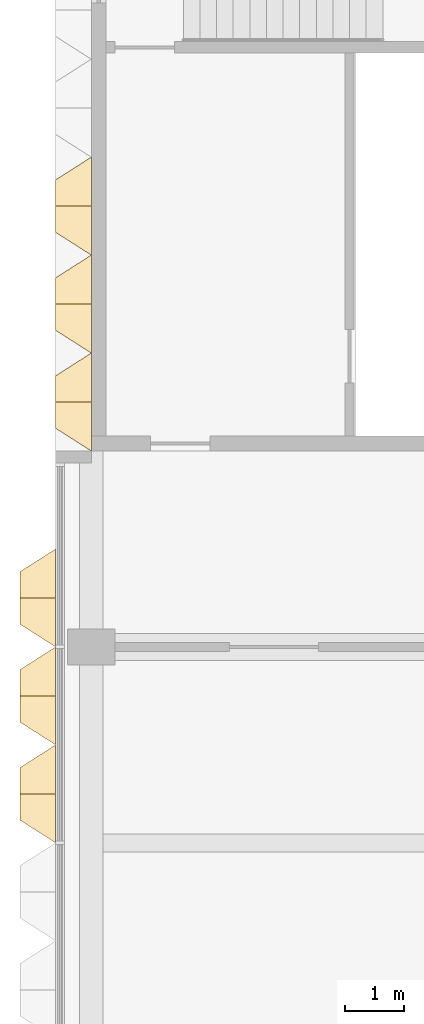
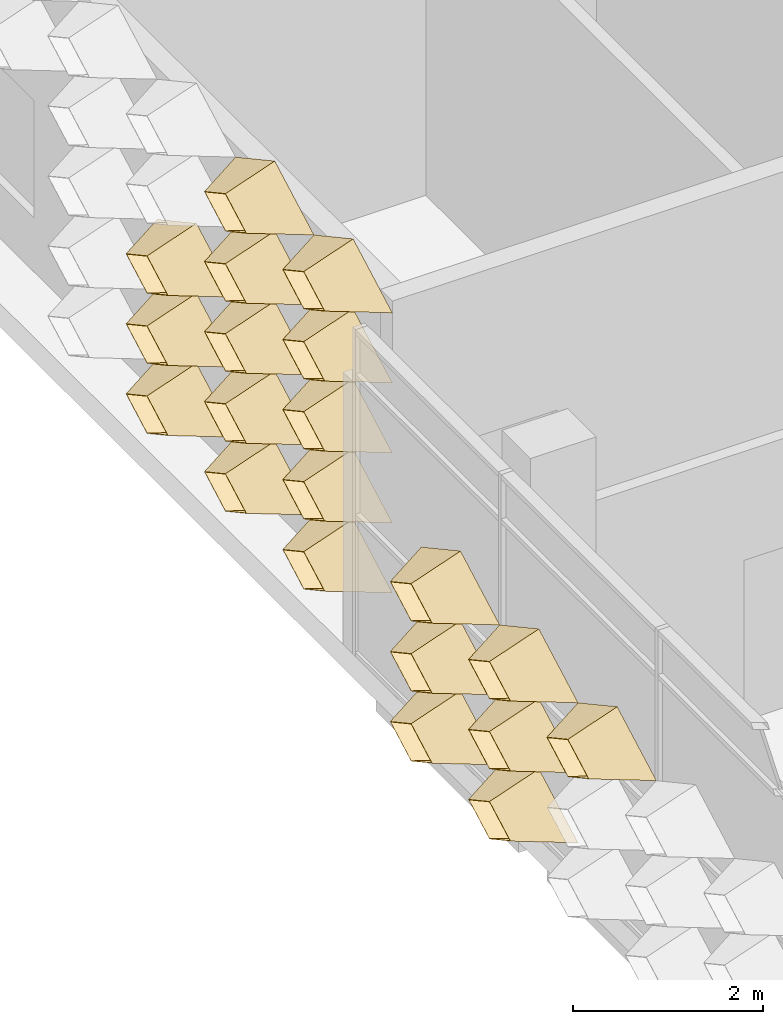
# One storey, part 43 of 87: 20 coverings.
"""IFC4 building model written with IfcOpenShell, lengths in metres."""

import ifcopenshell
import ifcopenshell.guid

model = None  # the IFC model being written
_history = None  # IfcOwnerHistory: only IFC2X3 demands one
_inside = {}  # id of a spatial element -> (the spatial element, [elements in it])
_under = {}  # id of a project, library or spatial element -> (it, [spatial elements below it])
_declared = {}  # id of a project -> (the project, [libraries it declares])
_typed = {}  # id of a type object -> (the type object, [elements of that type])
_made_of = {}  # id of a material, layer set ... -> (it, [elements and type objects made of it])


def new_model(schema):
    """Start an empty IFC model of exactly this schema.

    Asked for "IFC4X3", IfcOpenShell would pick the latest addendum, in which some entities
    have other attributes; the version numbers below select the first issue.
    IFC2X3 requires an IfcOwnerHistory on every rooted entity: one is made here for all.
    """
    global model, _history
    if schema == "IFC4X3":
        model = ifcopenshell.file(schema_version=(4, 3, 0, 0))
    else:
        model = ifcopenshell.file(schema=schema)
    _inside.clear()
    _under.clear()
    _declared.clear()
    _typed.clear()
    _made_of.clear()
    _history = None
    if model.schema == "IFC2X3":
        org = make("IfcOrganization", Name="unknown")
        user = make(
            "IfcPersonAndOrganization",
            ThePerson=make("IfcPerson", FamilyName="unknown"),
            TheOrganization=org,
        )
        app = make(
            "IfcApplication",
            ApplicationDeveloper=org,
            Version="unknown",
            ApplicationFullName="unknown",
            ApplicationIdentifier="unknown",
        )
        _history = make(
            "IfcOwnerHistory",
            OwningUser=user,
            OwningApplication=app,
            ChangeAction="ADDED",
            CreationDate=0,
        )
    return model


def make(cls, **values):
    """One entity of the class cls with the attributes given. An attribute that is None is left unset."""
    return model.create_entity(
        cls, **{name: value for name, value in values.items() if value is not None}
    )


def entity(cls, *values):
    """Any entity or typed value of the class cls, its attributes in the order of the schema. None: left unset."""
    e = model.create_entity(cls)
    for i, value in enumerate(values):
        if value is not None:
            e[i] = value
    return e


def rooted(cls, **values):
    """An entity with a GlobalId (a new one), such as an element, a storey or a relation."""
    return make(cls, GlobalId=ifcopenshell.guid.new(), OwnerHistory=_history, **values)


def si_unit(unit_type, name, prefix=None):
    """IfcSIUnit, for example si_unit("LENGTHUNIT", "METRE", prefix="MILLI")."""
    return make("IfcSIUnit", UnitType=unit_type, Prefix=prefix, Name=name)


def assignment(units):
    """IfcUnitAssignment: the units of a project."""
    return None if units is None else make("IfcUnitAssignment", Units=units)


def point(xyz):
    """IfcCartesianPoint."""
    return None if xyz is None else make("IfcCartesianPoint", Coordinates=xyz)


def direction(xyz):
    """IfcDirection."""
    return None if xyz is None else make("IfcDirection", DirectionRatios=xyz)


def frame(location, z_axis=None, x_axis=None):
    """IfcAxis2Placement3D, a coordinate frame: its origin and axes. An axis left out is left unset."""
    return make(
        "IfcAxis2Placement3D",
        Location=point(location),
        Axis=direction(z_axis),
        RefDirection=direction(x_axis),
    )


def origin():
    """The frame at (0, 0, 0) with its axes left unset."""
    return frame((0.0, 0.0, 0.0))


def place(relative_to, where):
    """IfcLocalPlacement: puts the frame where relative to a parent placement (None: the world)."""
    return make(
        "IfcLocalPlacement", PlacementRelTo=relative_to, RelativePlacement=where
    )


def context(
    kind, dimensions, precision=None, world=None, true_north=None, identifier=None
):
    """IfcGeometricRepresentationContext, for example the 3D "Model" context."""
    return make(
        "IfcGeometricRepresentationContext",
        ContextIdentifier=identifier,
        ContextType=kind,
        CoordinateSpaceDimension=dimensions,
        Precision=precision,
        WorldCoordinateSystem=world,
        TrueNorth=true_north,
    )


def subcontext(parent, identifier, kind, view, scale=None):
    """IfcGeometricRepresentationSubContext, for example "Body" below "Model"."""
    return make(
        "IfcGeometricRepresentationSubContext",
        ContextIdentifier=identifier,
        ContextType=kind,
        ParentContext=parent,
        TargetScale=scale,
        TargetView=view,
    )


def project(units=None, contexts=None):
    """IfcProject with its units and contexts."""
    return rooted(
        "IfcProject",
        Name="project",
        RepresentationContexts=contexts,
        UnitsInContext=assignment(units),
    )


def spatial(cls, under=None, at=None, **own):
    """A site, building, storey or space (cls), placed at a placement, below another one or the project."""
    s = rooted(cls, ObjectPlacement=at, **own)
    if under is not None:
        _under.setdefault(under.id(), (under, []))[1].append(s)
    return s


def shape(context_of_items, identifier, shape_type, items):
    """IfcShapeRepresentation: the items that make up one representation, for example the "Body"."""
    return make(
        "IfcShapeRepresentation",
        ContextOfItems=context_of_items,
        RepresentationIdentifier=identifier,
        RepresentationType=shape_type,
        Items=items,
    )


def material(Name=None, Category=None):
    """IfcMaterial."""
    return make("IfcMaterial", Name=Name, Category=Category)


def layer(
    of_material, thickness, ventilated=None, Name=None, Category=None, Priority=None
):
    """IfcMaterialLayer: one layer of a wall or slab, of a material (None: an air gap)."""
    return make(
        "IfcMaterialLayer",
        Material=of_material,
        LayerThickness=thickness,
        IsVentilated=ventilated,
        Name=Name,
        Category=Category,
        Priority=Priority,
    )


def layer_set(layers, Name=None):
    """IfcMaterialLayerSet."""
    return make("IfcMaterialLayerSet", MaterialLayers=layers, LayerSetName=Name)


def made_of(thing, what):
    """Note that an element or type object is made of a material, layer set ...; save() writes the relation."""
    if what is not None:
        _made_of.setdefault(what.id(), (what, []))[1].append(thing)
    return thing


def type_object(cls, material=None, **own):
    """A type object (cls), such as IfcWallType, which elements share."""
    return made_of(rooted(cls, **own), material)


def element(
    cls,
    number,
    at=None,
    inside=None,
    cuts=None,
    type_object=None,
    material=None,
    context=None,
    identifier="Body",
    shape_type=None,
    held_by="IfcProductDefinitionShape",
    body=None,
    shapes=None,
    **own,
):
    """One element of the class cls, such as IfcWall. Its Tag is "e" and its number.

    at: its placement. inside: the storey or other place that contains it. cuts: it is an
    opening in that element (IfcRelVoidsElement). A single representation is given by context,
    identifier, shape_type and body (its items); several are given by shapes. held_by: the class
    of the entity that holds the representations. save() writes the other relations.
    """
    e = rooted(cls, Tag="e%d" % number, ObjectPlacement=at, **own)
    if body is not None:
        shapes = [shape(context, identifier, shape_type, body)]
    if shapes is not None:
        e.Representation = make(held_by, Representations=shapes)
    if inside is not None:
        _inside.setdefault(inside.id(), (inside, []))[1].append(e)
    if cuts is not None:
        rooted(
            "IfcRelVoidsElement", RelatingBuildingElement=cuts, RelatedOpeningElement=e
        )
    if type_object is not None:
        _typed.setdefault(type_object.id(), (type_object, []))[1].append(e)
    return made_of(e, material)


def aggregate(whole, parts):
    """IfcRelAggregates: a whole, such as a stair, and the parts it consists of."""
    return rooted("IfcRelAggregates", RelatingObject=whole, RelatedObjects=parts)


def save(model, path):
    """Write the relations noted so far, then the file.

    IfcRelAggregates (storeys below a building ...), IfcRelContainedInSpatialStructure (elements
    in a storey), IfcRelDefinesByType, IfcRelAssociatesMaterial and IfcRelDeclares: one each for
    every whole, place, type object, material and project.
    """
    for whole, parts in _under.values():
        aggregate(whole, parts)
    for where, things in _inside.values():
        rooted(
            "IfcRelContainedInSpatialStructure",
            RelatedElements=things,
            RelatingStructure=where,
        )
    for kind, things in _typed.values():
        rooted("IfcRelDefinesByType", RelatedObjects=things, RelatingType=kind)
    for what, things in _made_of.values():
        rooted("IfcRelAssociatesMaterial", RelatedObjects=things, RelatingMaterial=what)
    for by, libraries in _declared.values():
        rooted("IfcRelDeclares", RelatingContext=by, RelatedDefinitions=libraries)
    model.write(path)


model = new_model("IFC4")

# Units and contexts
model_context = context("Model", 3, precision=1e-05, world=origin(), true_north=direction((0.0, 1.0)))
body_context = subcontext(model_context, "Body", "Model", "MODEL_VIEW")
ifc_project = project(units=[si_unit("LENGTHUNIT", "METRE"), si_unit("AREAUNIT", "SQUARE_METRE"), si_unit("VOLUMEUNIT", "CUBIC_METRE"), si_unit("PLANEANGLEUNIT", "RADIAN"), si_unit("MASSUNIT", "GRAM", prefix="KILO")], contexts=[model_context])

# Site, building, storey
site_placement = place(None, origin())
site = spatial("IfcSite", under=ifc_project, at=site_placement, CompositionType="ELEMENT")
building_placement = place(site_placement, origin())
building = spatial("IfcBuilding", under=site, at=building_placement, Name="Lantern Court Research Institute", CompositionType="ELEMENT")
storey_placement = place(building_placement, frame((0.0, 0.0, 5.39990234375)))
storey = spatial("IfcBuildingStorey", under=building, at=storey_placement, Name="L01", CompositionType="ELEMENT", Elevation=5.39990234375)

# Coverings
ifc_material = material(Name="Anodised aluminium", Category="aluminium")
ifc_layer = layer(ifc_material, 0.01611328125)
ifc_layer_set = layer_set([ifc_layer], Name="Anodised aluminium")
covering_type = type_object("IfcCoveringType", Name="Fin cassette 1650 x 900 x 600 aluminium", PredefinedType="CLADDING", material=ifc_layer_set)
covering_1_placement = place(storey_placement, frame((0.0, 14.02490234375, 0.4501953125), z_axis=(-1.0, 0.0, 0.0), x_axis=(0.0, -1.0, 0.0)))
cartesian_point_1 = entity("IfcCartesianPoint", [0.824951171875, 0.0])
cartesian_point_2 = entity("IfcCartesianPoint", [0.79150390625, 0.0])
cartesian_point_3 = entity("IfcCartesianPoint", [0.44189453125, 0.0])
cartesian_point_4 = entity("IfcCartesianPoint", [0.43359375, 0.0])
element("IfcCovering", 1, at=covering_1_placement, inside=storey, type_object=covering_type, Name="Fin cassette V4W-L01 1.9", PredefinedType="CLADDING", context=body_context, shape_type="SweptSolid", body=[
    entity("IfcExtrudedAreaSolidTapered", entity("IfcArbitraryProfileDefWithVoids", "AREA", None, entity("IfcPolyline", [cartesian_point_1, entity("IfcCartesianPoint", [0.0, 0.449951171875]), entity("IfcCartesianPoint", [-0.824951171875, 0.0]), entity("IfcCartesianPoint", [0.0, -0.449951171875]), cartesian_point_1]), [entity("IfcPolyline", [cartesian_point_2, entity("IfcCartesianPoint", [0.0, 0.431884765625]), entity("IfcCartesianPoint", [-0.79150390625, 0.0]), entity("IfcCartesianPoint", [0.0, -0.431884765625]), cartesian_point_2])]), entity("IfcAxis2Placement3D", entity("IfcCartesianPoint", [0.0, 0.0, 0.0])), entity("IfcDirection", [0.0, 0.0, 1.0]), 0.60009765625, entity("IfcArbitraryProfileDefWithVoids", "AREA", None, entity("IfcPolyline", [cartesian_point_3, entity("IfcCartesianPoint", [0.0, 0.240966796875]), entity("IfcCartesianPoint", [-0.44189453125, 0.0]), entity("IfcCartesianPoint", [0.0, -0.240966796875]), cartesian_point_3]), [entity("IfcPolyline", [cartesian_point_4, entity("IfcCartesianPoint", [0.0, 0.236572265625]), entity("IfcCartesianPoint", [-0.43359375, 0.0]), entity("IfcCartesianPoint", [0.0, -0.236572265625]), cartesian_point_4])])),
])
covering_2_placement = place(storey_placement, frame((0.0, 15.675048828125, 0.4501953125), z_axis=(-1.0, 0.0, 0.0), x_axis=(0.0, -1.0, 0.0)))
cartesian_point_5 = entity("IfcCartesianPoint", [0.824951171875, 0.0])
cartesian_point_6 = entity("IfcCartesianPoint", [0.79150390625, 0.0])
cartesian_point_7 = entity("IfcCartesianPoint", [0.44189453125, 0.0])
cartesian_point_8 = entity("IfcCartesianPoint", [0.43359375, 0.0])
element("IfcCovering", 2, at=covering_2_placement, inside=storey, type_object=covering_type, Name="Fin cassette V4W-L01 1.10", PredefinedType="CLADDING", context=body_context, shape_type="SweptSolid", body=[
    entity("IfcExtrudedAreaSolidTapered", entity("IfcArbitraryProfileDefWithVoids", "AREA", None, entity("IfcPolyline", [cartesian_point_5, entity("IfcCartesianPoint", [0.0, 0.449951171875]), entity("IfcCartesianPoint", [-0.824951171875, 0.0]), entity("IfcCartesianPoint", [0.0, -0.449951171875]), cartesian_point_5]), [entity("IfcPolyline", [cartesian_point_6, entity("IfcCartesianPoint", [0.0, 0.431884765625]), entity("IfcCartesianPoint", [-0.79150390625, 0.0]), entity("IfcCartesianPoint", [0.0, -0.431884765625]), cartesian_point_6])]), entity("IfcAxis2Placement3D", entity("IfcCartesianPoint", [0.0, 0.0, 0.0])), entity("IfcDirection", [0.0, 0.0, 1.0]), 0.60009765625, entity("IfcArbitraryProfileDefWithVoids", "AREA", None, entity("IfcPolyline", [cartesian_point_7, entity("IfcCartesianPoint", [0.0, 0.240966796875]), entity("IfcCartesianPoint", [-0.44189453125, 0.0]), entity("IfcCartesianPoint", [0.0, -0.240966796875]), cartesian_point_7]), [entity("IfcPolyline", [cartesian_point_8, entity("IfcCartesianPoint", [0.0, 0.236572265625]), entity("IfcCartesianPoint", [-0.43359375, 0.0]), entity("IfcCartesianPoint", [0.0, -0.236572265625]), cartesian_point_8])])),
])
covering_3_placement = place(storey_placement, frame((0.0, 17.324951171875, 0.4501953125), z_axis=(-1.0, 0.0, 0.0), x_axis=(0.0, -1.0, 0.0)))
cartesian_point_9 = entity("IfcCartesianPoint", [0.824951171875, 0.0])
cartesian_point_10 = entity("IfcCartesianPoint", [0.79150390625, 0.0])
cartesian_point_11 = entity("IfcCartesianPoint", [0.44189453125, 0.0])
cartesian_point_12 = entity("IfcCartesianPoint", [0.43359375, 0.0])
element("IfcCovering", 3, at=covering_3_placement, inside=storey, type_object=covering_type, Name="Fin cassette V4W-L01 1.11", PredefinedType="CLADDING", context=body_context, shape_type="SweptSolid", body=[
    entity("IfcExtrudedAreaSolidTapered", entity("IfcArbitraryProfileDefWithVoids", "AREA", None, entity("IfcPolyline", [cartesian_point_9, entity("IfcCartesianPoint", [0.0, 0.449951171875]), entity("IfcCartesianPoint", [-0.824951171875, 0.0]), entity("IfcCartesianPoint", [0.0, -0.449951171875]), cartesian_point_9]), [entity("IfcPolyline", [cartesian_point_10, entity("IfcCartesianPoint", [0.0, 0.431884765625]), entity("IfcCartesianPoint", [-0.79150390625, 0.0]), entity("IfcCartesianPoint", [0.0, -0.431884765625]), cartesian_point_10])]), entity("IfcAxis2Placement3D", entity("IfcCartesianPoint", [0.0, 0.0, 0.0])), entity("IfcDirection", [0.0, 0.0, 1.0]), 0.60009765625, entity("IfcArbitraryProfileDefWithVoids", "AREA", None, entity("IfcPolyline", [cartesian_point_11, entity("IfcCartesianPoint", [0.0, 0.240966796875]), entity("IfcCartesianPoint", [-0.44189453125, 0.0]), entity("IfcCartesianPoint", [0.0, -0.240966796875]), cartesian_point_11]), [entity("IfcPolyline", [cartesian_point_12, entity("IfcCartesianPoint", [0.0, 0.236572265625]), entity("IfcCartesianPoint", [-0.43359375, 0.0]), entity("IfcCartesianPoint", [0.0, -0.236572265625]), cartesian_point_12])])),
])
covering_4_placement = place(storey_placement, frame((0.0, 14.02490234375, 1.35009765625), z_axis=(-1.0, 0.0, 0.0), x_axis=(0.0, -1.0, 0.0)))
cartesian_point_13 = entity("IfcCartesianPoint", [0.824951171875, 0.0])
cartesian_point_14 = entity("IfcCartesianPoint", [0.79150390625, 0.0])
cartesian_point_15 = entity("IfcCartesianPoint", [0.44189453125, 0.0])
cartesian_point_16 = entity("IfcCartesianPoint", [0.43359375, 0.0])
element("IfcCovering", 4, at=covering_4_placement, inside=storey, type_object=covering_type, Name="Fin cassette V4W-L01 2.9", PredefinedType="CLADDING", context=body_context, shape_type="SweptSolid", body=[
    entity("IfcExtrudedAreaSolidTapered", entity("IfcArbitraryProfileDefWithVoids", "AREA", None, entity("IfcPolyline", [cartesian_point_13, entity("IfcCartesianPoint", [0.0, 0.449951171875]), entity("IfcCartesianPoint", [-0.824951171875, 0.0]), entity("IfcCartesianPoint", [0.0, -0.449951171875]), cartesian_point_13]), [entity("IfcPolyline", [cartesian_point_14, entity("IfcCartesianPoint", [0.0, 0.431884765625]), entity("IfcCartesianPoint", [-0.79150390625, 0.0]), entity("IfcCartesianPoint", [0.0, -0.431884765625]), cartesian_point_14])]), entity("IfcAxis2Placement3D", entity("IfcCartesianPoint", [0.0, 0.0, 0.0])), entity("IfcDirection", [0.0, 0.0, 1.0]), 0.60009765625, entity("IfcArbitraryProfileDefWithVoids", "AREA", None, entity("IfcPolyline", [cartesian_point_15, entity("IfcCartesianPoint", [0.0, 0.240966796875]), entity("IfcCartesianPoint", [-0.44189453125, 0.0]), entity("IfcCartesianPoint", [0.0, -0.240966796875]), cartesian_point_15]), [entity("IfcPolyline", [cartesian_point_16, entity("IfcCartesianPoint", [0.0, 0.236572265625]), entity("IfcCartesianPoint", [-0.43359375, 0.0]), entity("IfcCartesianPoint", [0.0, -0.236572265625]), cartesian_point_16])])),
])
covering_5_placement = place(storey_placement, frame((0.0, 15.675048828125, 1.35009765625), z_axis=(-1.0, 0.0, 0.0), x_axis=(0.0, -1.0, 0.0)))
cartesian_point_17 = entity("IfcCartesianPoint", [0.824951171875, 0.0])
cartesian_point_18 = entity("IfcCartesianPoint", [0.79150390625, 0.0])
cartesian_point_19 = entity("IfcCartesianPoint", [0.44189453125, 0.0])
cartesian_point_20 = entity("IfcCartesianPoint", [0.43359375, 0.0])
element("IfcCovering", 5, at=covering_5_placement, inside=storey, type_object=covering_type, Name="Fin cassette V4W-L01 2.10", PredefinedType="CLADDING", context=body_context, shape_type="SweptSolid", body=[
    entity("IfcExtrudedAreaSolidTapered", entity("IfcArbitraryProfileDefWithVoids", "AREA", None, entity("IfcPolyline", [cartesian_point_17, entity("IfcCartesianPoint", [0.0, 0.449951171875]), entity("IfcCartesianPoint", [-0.824951171875, 0.0]), entity("IfcCartesianPoint", [0.0, -0.449951171875]), cartesian_point_17]), [entity("IfcPolyline", [cartesian_point_18, entity("IfcCartesianPoint", [0.0, 0.431884765625]), entity("IfcCartesianPoint", [-0.79150390625, 0.0]), entity("IfcCartesianPoint", [0.0, -0.431884765625]), cartesian_point_18])]), entity("IfcAxis2Placement3D", entity("IfcCartesianPoint", [0.0, 0.0, 0.0])), entity("IfcDirection", [0.0, 0.0, 1.0]), 0.60009765625, entity("IfcArbitraryProfileDefWithVoids", "AREA", None, entity("IfcPolyline", [cartesian_point_19, entity("IfcCartesianPoint", [0.0, 0.240966796875]), entity("IfcCartesianPoint", [-0.44189453125, 0.0]), entity("IfcCartesianPoint", [0.0, -0.240966796875]), cartesian_point_19]), [entity("IfcPolyline", [cartesian_point_20, entity("IfcCartesianPoint", [0.0, 0.236572265625]), entity("IfcCartesianPoint", [-0.43359375, 0.0]), entity("IfcCartesianPoint", [0.0, -0.236572265625]), cartesian_point_20])])),
])
covering_6_placement = place(storey_placement, frame((0.0, 17.324951171875, 1.35009765625), z_axis=(-1.0, 0.0, 0.0), x_axis=(0.0, -1.0, 0.0)))
cartesian_point_21 = entity("IfcCartesianPoint", [0.824951171875, 0.0])
cartesian_point_22 = entity("IfcCartesianPoint", [0.79150390625, 0.0])
cartesian_point_23 = entity("IfcCartesianPoint", [0.44189453125, 0.0])
cartesian_point_24 = entity("IfcCartesianPoint", [0.43359375, 0.0])
element("IfcCovering", 6, at=covering_6_placement, inside=storey, type_object=covering_type, Name="Fin cassette V4W-L01 2.11", PredefinedType="CLADDING", context=body_context, shape_type="SweptSolid", body=[
    entity("IfcExtrudedAreaSolidTapered", entity("IfcArbitraryProfileDefWithVoids", "AREA", None, entity("IfcPolyline", [cartesian_point_21, entity("IfcCartesianPoint", [0.0, 0.449951171875]), entity("IfcCartesianPoint", [-0.824951171875, 0.0]), entity("IfcCartesianPoint", [0.0, -0.449951171875]), cartesian_point_21]), [entity("IfcPolyline", [cartesian_point_22, entity("IfcCartesianPoint", [0.0, 0.431884765625]), entity("IfcCartesianPoint", [-0.79150390625, 0.0]), entity("IfcCartesianPoint", [0.0, -0.431884765625]), cartesian_point_22])]), entity("IfcAxis2Placement3D", entity("IfcCartesianPoint", [0.0, 0.0, 0.0])), entity("IfcDirection", [0.0, 0.0, 1.0]), 0.60009765625, entity("IfcArbitraryProfileDefWithVoids", "AREA", None, entity("IfcPolyline", [cartesian_point_23, entity("IfcCartesianPoint", [0.0, 0.240966796875]), entity("IfcCartesianPoint", [-0.44189453125, 0.0]), entity("IfcCartesianPoint", [0.0, -0.240966796875]), cartesian_point_23]), [entity("IfcPolyline", [cartesian_point_24, entity("IfcCartesianPoint", [0.0, 0.236572265625]), entity("IfcCartesianPoint", [-0.43359375, 0.0]), entity("IfcCartesianPoint", [0.0, -0.236572265625]), cartesian_point_24])])),
])
covering_7_placement = place(storey_placement, frame((0.0, 14.02490234375, 2.25), z_axis=(-1.0, 0.0, 0.0), x_axis=(0.0, -1.0, 0.0)))
cartesian_point_25 = entity("IfcCartesianPoint", [0.824951171875, 0.0])
cartesian_point_26 = entity("IfcCartesianPoint", [0.79150390625, 0.0])
cartesian_point_27 = entity("IfcCartesianPoint", [0.44189453125, 0.0])
cartesian_point_28 = entity("IfcCartesianPoint", [0.43359375, 0.0])
element("IfcCovering", 7, at=covering_7_placement, inside=storey, type_object=covering_type, Name="Fin cassette V4W-L01 3.9", PredefinedType="CLADDING", context=body_context, shape_type="SweptSolid", body=[
    entity("IfcExtrudedAreaSolidTapered", entity("IfcArbitraryProfileDefWithVoids", "AREA", None, entity("IfcPolyline", [cartesian_point_25, entity("IfcCartesianPoint", [0.0, 0.449951171875]), entity("IfcCartesianPoint", [-0.824951171875, 0.0]), entity("IfcCartesianPoint", [0.0, -0.449951171875]), cartesian_point_25]), [entity("IfcPolyline", [cartesian_point_26, entity("IfcCartesianPoint", [0.0, 0.431884765625]), entity("IfcCartesianPoint", [-0.79150390625, 0.0]), entity("IfcCartesianPoint", [0.0, -0.431884765625]), cartesian_point_26])]), entity("IfcAxis2Placement3D", entity("IfcCartesianPoint", [0.0, 0.0, 0.0])), entity("IfcDirection", [0.0, 0.0, 1.0]), 0.60009765625, entity("IfcArbitraryProfileDefWithVoids", "AREA", None, entity("IfcPolyline", [cartesian_point_27, entity("IfcCartesianPoint", [0.0, 0.240966796875]), entity("IfcCartesianPoint", [-0.44189453125, 0.0]), entity("IfcCartesianPoint", [0.0, -0.240966796875]), cartesian_point_27]), [entity("IfcPolyline", [cartesian_point_28, entity("IfcCartesianPoint", [0.0, 0.236572265625]), entity("IfcCartesianPoint", [-0.43359375, 0.0]), entity("IfcCartesianPoint", [0.0, -0.236572265625]), cartesian_point_28])])),
])
covering_8_placement = place(storey_placement, frame((0.0, 15.675048828125, 2.25), z_axis=(-1.0, 0.0, 0.0), x_axis=(0.0, -1.0, 0.0)))
cartesian_point_29 = entity("IfcCartesianPoint", [0.824951171875, 0.0])
cartesian_point_30 = entity("IfcCartesianPoint", [0.79150390625, 0.0])
cartesian_point_31 = entity("IfcCartesianPoint", [0.44189453125, 0.0])
cartesian_point_32 = entity("IfcCartesianPoint", [0.43359375, 0.0])
element("IfcCovering", 8, at=covering_8_placement, inside=storey, type_object=covering_type, Name="Fin cassette V4W-L01 3.10", PredefinedType="CLADDING", context=body_context, shape_type="SweptSolid", body=[
    entity("IfcExtrudedAreaSolidTapered", entity("IfcArbitraryProfileDefWithVoids", "AREA", None, entity("IfcPolyline", [cartesian_point_29, entity("IfcCartesianPoint", [0.0, 0.449951171875]), entity("IfcCartesianPoint", [-0.824951171875, 0.0]), entity("IfcCartesianPoint", [0.0, -0.449951171875]), cartesian_point_29]), [entity("IfcPolyline", [cartesian_point_30, entity("IfcCartesianPoint", [0.0, 0.431884765625]), entity("IfcCartesianPoint", [-0.79150390625, 0.0]), entity("IfcCartesianPoint", [0.0, -0.431884765625]), cartesian_point_30])]), entity("IfcAxis2Placement3D", entity("IfcCartesianPoint", [0.0, 0.0, 0.0])), entity("IfcDirection", [0.0, 0.0, 1.0]), 0.60009765625, entity("IfcArbitraryProfileDefWithVoids", "AREA", None, entity("IfcPolyline", [cartesian_point_31, entity("IfcCartesianPoint", [0.0, 0.240966796875]), entity("IfcCartesianPoint", [-0.44189453125, 0.0]), entity("IfcCartesianPoint", [0.0, -0.240966796875]), cartesian_point_31]), [entity("IfcPolyline", [cartesian_point_32, entity("IfcCartesianPoint", [0.0, 0.236572265625]), entity("IfcCartesianPoint", [-0.43359375, 0.0]), entity("IfcCartesianPoint", [0.0, -0.236572265625]), cartesian_point_32])])),
])
covering_9_placement = place(storey_placement, frame((0.0, 17.324951171875, 2.25), z_axis=(-1.0, 0.0, 0.0), x_axis=(0.0, -1.0, 0.0)))
cartesian_point_33 = entity("IfcCartesianPoint", [0.824951171875, 0.0])
cartesian_point_34 = entity("IfcCartesianPoint", [0.79150390625, 0.0])
cartesian_point_35 = entity("IfcCartesianPoint", [0.44189453125, 0.0])
cartesian_point_36 = entity("IfcCartesianPoint", [0.43359375, 0.0])
element("IfcCovering", 9, at=covering_9_placement, inside=storey, type_object=covering_type, Name="Fin cassette V4W-L01 3.11", PredefinedType="CLADDING", context=body_context, shape_type="SweptSolid", body=[
    entity("IfcExtrudedAreaSolidTapered", entity("IfcArbitraryProfileDefWithVoids", "AREA", None, entity("IfcPolyline", [cartesian_point_33, entity("IfcCartesianPoint", [0.0, 0.449951171875]), entity("IfcCartesianPoint", [-0.824951171875, 0.0]), entity("IfcCartesianPoint", [0.0, -0.449951171875]), cartesian_point_33]), [entity("IfcPolyline", [cartesian_point_34, entity("IfcCartesianPoint", [0.0, 0.431884765625]), entity("IfcCartesianPoint", [-0.79150390625, 0.0]), entity("IfcCartesianPoint", [0.0, -0.431884765625]), cartesian_point_34])]), entity("IfcAxis2Placement3D", entity("IfcCartesianPoint", [0.0, 0.0, 0.0])), entity("IfcDirection", [0.0, 0.0, 1.0]), 0.60009765625, entity("IfcArbitraryProfileDefWithVoids", "AREA", None, entity("IfcPolyline", [cartesian_point_35, entity("IfcCartesianPoint", [0.0, 0.240966796875]), entity("IfcCartesianPoint", [-0.44189453125, 0.0]), entity("IfcCartesianPoint", [0.0, -0.240966796875]), cartesian_point_35]), [entity("IfcPolyline", [cartesian_point_36, entity("IfcCartesianPoint", [0.0, 0.236572265625]), entity("IfcCartesianPoint", [-0.43359375, 0.0]), entity("IfcCartesianPoint", [0.0, -0.236572265625]), cartesian_point_36])])),
])
covering_10_placement = place(storey_placement, frame((0.0, 14.02490234375, 3.150146484375), z_axis=(-1.0, 0.0, 0.0), x_axis=(0.0, -1.0, 0.0)))
cartesian_point_37 = entity("IfcCartesianPoint", [0.824951171875, 0.0])
cartesian_point_38 = entity("IfcCartesianPoint", [0.79150390625, 0.0])
cartesian_point_39 = entity("IfcCartesianPoint", [0.44189453125, 0.0])
cartesian_point_40 = entity("IfcCartesianPoint", [0.43359375, 0.0])
element("IfcCovering", 10, at=covering_10_placement, inside=storey, type_object=covering_type, Name="Fin cassette V4W-L01 4.9", PredefinedType="CLADDING", context=body_context, shape_type="SweptSolid", body=[
    entity("IfcExtrudedAreaSolidTapered", entity("IfcArbitraryProfileDefWithVoids", "AREA", None, entity("IfcPolyline", [cartesian_point_37, entity("IfcCartesianPoint", [0.0, 0.449951171875]), entity("IfcCartesianPoint", [-0.824951171875, 0.0]), entity("IfcCartesianPoint", [0.0, -0.449951171875]), cartesian_point_37]), [entity("IfcPolyline", [cartesian_point_38, entity("IfcCartesianPoint", [0.0, 0.431884765625]), entity("IfcCartesianPoint", [-0.79150390625, 0.0]), entity("IfcCartesianPoint", [0.0, -0.431884765625]), cartesian_point_38])]), entity("IfcAxis2Placement3D", entity("IfcCartesianPoint", [0.0, 0.0, 0.0])), entity("IfcDirection", [0.0, 0.0, 1.0]), 0.60009765625, entity("IfcArbitraryProfileDefWithVoids", "AREA", None, entity("IfcPolyline", [cartesian_point_39, entity("IfcCartesianPoint", [0.0, 0.240966796875]), entity("IfcCartesianPoint", [-0.44189453125, 0.0]), entity("IfcCartesianPoint", [0.0, -0.240966796875]), cartesian_point_39]), [entity("IfcPolyline", [cartesian_point_40, entity("IfcCartesianPoint", [0.0, 0.236572265625]), entity("IfcCartesianPoint", [-0.43359375, 0.0]), entity("IfcCartesianPoint", [0.0, -0.236572265625]), cartesian_point_40])])),
])
covering_11_placement = place(storey_placement, frame((0.0, 15.675048828125, 3.150146484375), z_axis=(-1.0, 0.0, 0.0), x_axis=(0.0, -1.0, 0.0)))
cartesian_point_41 = entity("IfcCartesianPoint", [0.824951171875, 0.0])
cartesian_point_42 = entity("IfcCartesianPoint", [0.79150390625, 0.0])
cartesian_point_43 = entity("IfcCartesianPoint", [0.44189453125, 0.0])
cartesian_point_44 = entity("IfcCartesianPoint", [0.43359375, 0.0])
element("IfcCovering", 11, at=covering_11_placement, inside=storey, type_object=covering_type, Name="Fin cassette V4W-L01 4.10", PredefinedType="CLADDING", context=body_context, shape_type="SweptSolid", body=[
    entity("IfcExtrudedAreaSolidTapered", entity("IfcArbitraryProfileDefWithVoids", "AREA", None, entity("IfcPolyline", [cartesian_point_41, entity("IfcCartesianPoint", [0.0, 0.449951171875]), entity("IfcCartesianPoint", [-0.824951171875, 0.0]), entity("IfcCartesianPoint", [0.0, -0.449951171875]), cartesian_point_41]), [entity("IfcPolyline", [cartesian_point_42, entity("IfcCartesianPoint", [0.0, 0.431884765625]), entity("IfcCartesianPoint", [-0.79150390625, 0.0]), entity("IfcCartesianPoint", [0.0, -0.431884765625]), cartesian_point_42])]), entity("IfcAxis2Placement3D", entity("IfcCartesianPoint", [0.0, 0.0, 0.0])), entity("IfcDirection", [0.0, 0.0, 1.0]), 0.60009765625, entity("IfcArbitraryProfileDefWithVoids", "AREA", None, entity("IfcPolyline", [cartesian_point_43, entity("IfcCartesianPoint", [0.0, 0.240966796875]), entity("IfcCartesianPoint", [-0.44189453125, 0.0]), entity("IfcCartesianPoint", [0.0, -0.240966796875]), cartesian_point_43]), [entity("IfcPolyline", [cartesian_point_44, entity("IfcCartesianPoint", [0.0, 0.236572265625]), entity("IfcCartesianPoint", [-0.43359375, 0.0]), entity("IfcCartesianPoint", [0.0, -0.236572265625]), cartesian_point_44])])),
])
covering_12_placement = place(storey_placement, frame((0.0, 14.02490234375, 4.050048828125), z_axis=(-1.0, 0.0, 0.0), x_axis=(0.0, -1.0, 0.0)))
cartesian_point_45 = entity("IfcCartesianPoint", [0.824951171875, 0.0])
cartesian_point_46 = entity("IfcCartesianPoint", [0.79150390625, 0.0])
cartesian_point_47 = entity("IfcCartesianPoint", [0.44189453125, 0.0])
cartesian_point_48 = entity("IfcCartesianPoint", [0.43359375, 0.0])
element("IfcCovering", 12, at=covering_12_placement, inside=storey, type_object=covering_type, Name="Fin cassette V4W-L01 5.9", PredefinedType="CLADDING", context=body_context, shape_type="SweptSolid", body=[
    entity("IfcExtrudedAreaSolidTapered", entity("IfcArbitraryProfileDefWithVoids", "AREA", None, entity("IfcPolyline", [cartesian_point_45, entity("IfcCartesianPoint", [0.0, 0.449951171875]), entity("IfcCartesianPoint", [-0.824951171875, 0.0]), entity("IfcCartesianPoint", [0.0, -0.449951171875]), cartesian_point_45]), [entity("IfcPolyline", [cartesian_point_46, entity("IfcCartesianPoint", [0.0, 0.431884765625]), entity("IfcCartesianPoint", [-0.79150390625, 0.0]), entity("IfcCartesianPoint", [0.0, -0.431884765625]), cartesian_point_46])]), entity("IfcAxis2Placement3D", entity("IfcCartesianPoint", [0.0, 0.0, 0.0])), entity("IfcDirection", [0.0, 0.0, 1.0]), 0.60009765625, entity("IfcArbitraryProfileDefWithVoids", "AREA", None, entity("IfcPolyline", [cartesian_point_47, entity("IfcCartesianPoint", [0.0, 0.240966796875]), entity("IfcCartesianPoint", [-0.44189453125, 0.0]), entity("IfcCartesianPoint", [0.0, -0.240966796875]), cartesian_point_47]), [entity("IfcPolyline", [cartesian_point_48, entity("IfcCartesianPoint", [0.0, 0.236572265625]), entity("IfcCartesianPoint", [-0.43359375, 0.0]), entity("IfcCartesianPoint", [0.0, -0.236572265625]), cartesian_point_48])])),
])
covering_13_placement = place(storey_placement, frame((0.0, 15.675048828125, 4.050048828125), z_axis=(-1.0, 0.0, 0.0), x_axis=(0.0, -1.0, 0.0)))
cartesian_point_49 = entity("IfcCartesianPoint", [0.824951171875, 0.0])
cartesian_point_50 = entity("IfcCartesianPoint", [0.79150390625, 0.0])
cartesian_point_51 = entity("IfcCartesianPoint", [0.44189453125, 0.0])
cartesian_point_52 = entity("IfcCartesianPoint", [0.43359375, 0.0])
element("IfcCovering", 13, at=covering_13_placement, inside=storey, type_object=covering_type, Name="Fin cassette V4W-L01 5.10", PredefinedType="CLADDING", context=body_context, shape_type="SweptSolid", body=[
    entity("IfcExtrudedAreaSolidTapered", entity("IfcArbitraryProfileDefWithVoids", "AREA", None, entity("IfcPolyline", [cartesian_point_49, entity("IfcCartesianPoint", [0.0, 0.449951171875]), entity("IfcCartesianPoint", [-0.824951171875, 0.0]), entity("IfcCartesianPoint", [0.0, -0.449951171875]), cartesian_point_49]), [entity("IfcPolyline", [cartesian_point_50, entity("IfcCartesianPoint", [0.0, 0.431884765625]), entity("IfcCartesianPoint", [-0.79150390625, 0.0]), entity("IfcCartesianPoint", [0.0, -0.431884765625]), cartesian_point_50])]), entity("IfcAxis2Placement3D", entity("IfcCartesianPoint", [0.0, 0.0, 0.0])), entity("IfcDirection", [0.0, 0.0, 1.0]), 0.60009765625, entity("IfcArbitraryProfileDefWithVoids", "AREA", None, entity("IfcPolyline", [cartesian_point_51, entity("IfcCartesianPoint", [0.0, 0.240966796875]), entity("IfcCartesianPoint", [-0.44189453125, 0.0]), entity("IfcCartesianPoint", [0.0, -0.240966796875]), cartesian_point_51]), [entity("IfcPolyline", [cartesian_point_52, entity("IfcCartesianPoint", [0.0, 0.236572265625]), entity("IfcCartesianPoint", [-0.43359375, 0.0]), entity("IfcCartesianPoint", [0.0, -0.236572265625]), cartesian_point_52])])),
])
covering_14_placement = place(storey_placement, frame((-0.60009765625, 9.074951171875, 0.4501953125), z_axis=(-1.0, 0.0, 0.0), x_axis=(0.0, -1.0, 0.0)))
cartesian_point_53 = entity("IfcCartesianPoint", [0.824951171875, 0.0])
cartesian_point_54 = entity("IfcCartesianPoint", [0.79150390625, 0.0])
cartesian_point_55 = entity("IfcCartesianPoint", [0.44189453125, 0.0])
cartesian_point_56 = entity("IfcCartesianPoint", [0.43359375, 0.0])
element("IfcCovering", 14, at=covering_14_placement, inside=storey, type_object=covering_type, Name="Fin cassette V4W-L01 1.6", PredefinedType="CLADDING", context=body_context, shape_type="SweptSolid", body=[
    entity("IfcExtrudedAreaSolidTapered", entity("IfcArbitraryProfileDefWithVoids", "AREA", None, entity("IfcPolyline", [cartesian_point_53, entity("IfcCartesianPoint", [0.0, 0.449951171875]), entity("IfcCartesianPoint", [-0.824951171875, 0.0]), entity("IfcCartesianPoint", [0.0, -0.449951171875]), cartesian_point_53]), [entity("IfcPolyline", [cartesian_point_54, entity("IfcCartesianPoint", [0.0, 0.431884765625]), entity("IfcCartesianPoint", [-0.79150390625, 0.0]), entity("IfcCartesianPoint", [0.0, -0.431884765625]), cartesian_point_54])]), entity("IfcAxis2Placement3D", entity("IfcCartesianPoint", [0.0, 0.0, 0.0])), entity("IfcDirection", [0.0, 0.0, 1.0]), 0.60009765625, entity("IfcArbitraryProfileDefWithVoids", "AREA", None, entity("IfcPolyline", [cartesian_point_55, entity("IfcCartesianPoint", [0.0, 0.240966796875]), entity("IfcCartesianPoint", [-0.44189453125, 0.0]), entity("IfcCartesianPoint", [0.0, -0.240966796875]), cartesian_point_55]), [entity("IfcPolyline", [cartesian_point_56, entity("IfcCartesianPoint", [0.0, 0.236572265625]), entity("IfcCartesianPoint", [-0.43359375, 0.0]), entity("IfcCartesianPoint", [0.0, -0.236572265625]), cartesian_point_56])])),
])
covering_15_placement = place(storey_placement, frame((-0.60009765625, 10.72509765625, 0.4501953125), z_axis=(-1.0, 0.0, 0.0), x_axis=(0.0, -1.0, 0.0)))
cartesian_point_57 = entity("IfcCartesianPoint", [0.824951171875, 0.0])
cartesian_point_58 = entity("IfcCartesianPoint", [0.79150390625, 0.0])
cartesian_point_59 = entity("IfcCartesianPoint", [0.44189453125, 0.0])
cartesian_point_60 = entity("IfcCartesianPoint", [0.43359375, 0.0])
element("IfcCovering", 15, at=covering_15_placement, inside=storey, type_object=covering_type, Name="Fin cassette V4W-L01 1.7", PredefinedType="CLADDING", context=body_context, shape_type="SweptSolid", body=[
    entity("IfcExtrudedAreaSolidTapered", entity("IfcArbitraryProfileDefWithVoids", "AREA", None, entity("IfcPolyline", [cartesian_point_57, entity("IfcCartesianPoint", [0.0, 0.449951171875]), entity("IfcCartesianPoint", [-0.824951171875, 0.0]), entity("IfcCartesianPoint", [0.0, -0.449951171875]), cartesian_point_57]), [entity("IfcPolyline", [cartesian_point_58, entity("IfcCartesianPoint", [0.0, 0.431884765625]), entity("IfcCartesianPoint", [-0.79150390625, 0.0]), entity("IfcCartesianPoint", [0.0, -0.431884765625]), cartesian_point_58])]), entity("IfcAxis2Placement3D", entity("IfcCartesianPoint", [0.0, 0.0, 0.0])), entity("IfcDirection", [0.0, 0.0, 1.0]), 0.60009765625, entity("IfcArbitraryProfileDefWithVoids", "AREA", None, entity("IfcPolyline", [cartesian_point_59, entity("IfcCartesianPoint", [0.0, 0.240966796875]), entity("IfcCartesianPoint", [-0.44189453125, 0.0]), entity("IfcCartesianPoint", [0.0, -0.240966796875]), cartesian_point_59]), [entity("IfcPolyline", [cartesian_point_60, entity("IfcCartesianPoint", [0.0, 0.236572265625]), entity("IfcCartesianPoint", [-0.43359375, 0.0]), entity("IfcCartesianPoint", [0.0, -0.236572265625]), cartesian_point_60])])),
])
covering_16_placement = place(storey_placement, frame((-0.60009765625, 9.074951171875, 1.35009765625), z_axis=(-1.0, 0.0, 0.0), x_axis=(0.0, -1.0, 0.0)))
cartesian_point_61 = entity("IfcCartesianPoint", [0.824951171875, 0.0])
cartesian_point_62 = entity("IfcCartesianPoint", [0.79150390625, 0.0])
cartesian_point_63 = entity("IfcCartesianPoint", [0.44189453125, 0.0])
cartesian_point_64 = entity("IfcCartesianPoint", [0.43359375, 0.0])
element("IfcCovering", 16, at=covering_16_placement, inside=storey, type_object=covering_type, Name="Fin cassette V4W-L01 2.6", PredefinedType="CLADDING", context=body_context, shape_type="SweptSolid", body=[
    entity("IfcExtrudedAreaSolidTapered", entity("IfcArbitraryProfileDefWithVoids", "AREA", None, entity("IfcPolyline", [cartesian_point_61, entity("IfcCartesianPoint", [0.0, 0.449951171875]), entity("IfcCartesianPoint", [-0.824951171875, 0.0]), entity("IfcCartesianPoint", [0.0, -0.449951171875]), cartesian_point_61]), [entity("IfcPolyline", [cartesian_point_62, entity("IfcCartesianPoint", [0.0, 0.431884765625]), entity("IfcCartesianPoint", [-0.79150390625, 0.0]), entity("IfcCartesianPoint", [0.0, -0.431884765625]), cartesian_point_62])]), entity("IfcAxis2Placement3D", entity("IfcCartesianPoint", [0.0, 0.0, 0.0])), entity("IfcDirection", [0.0, 0.0, 1.0]), 0.60009765625, entity("IfcArbitraryProfileDefWithVoids", "AREA", None, entity("IfcPolyline", [cartesian_point_63, entity("IfcCartesianPoint", [0.0, 0.240966796875]), entity("IfcCartesianPoint", [-0.44189453125, 0.0]), entity("IfcCartesianPoint", [0.0, -0.240966796875]), cartesian_point_63]), [entity("IfcPolyline", [cartesian_point_64, entity("IfcCartesianPoint", [0.0, 0.236572265625]), entity("IfcCartesianPoint", [-0.43359375, 0.0]), entity("IfcCartesianPoint", [0.0, -0.236572265625]), cartesian_point_64])])),
])
covering_17_placement = place(storey_placement, frame((-0.60009765625, 10.72509765625, 1.35009765625), z_axis=(-1.0, 0.0, 0.0), x_axis=(0.0, -1.0, 0.0)))
cartesian_point_65 = entity("IfcCartesianPoint", [0.824951171875, 0.0])
cartesian_point_66 = entity("IfcCartesianPoint", [0.79150390625, 0.0])
cartesian_point_67 = entity("IfcCartesianPoint", [0.44189453125, 0.0])
cartesian_point_68 = entity("IfcCartesianPoint", [0.43359375, 0.0])
element("IfcCovering", 17, at=covering_17_placement, inside=storey, type_object=covering_type, Name="Fin cassette V4W-L01 2.7", PredefinedType="CLADDING", context=body_context, shape_type="SweptSolid", body=[
    entity("IfcExtrudedAreaSolidTapered", entity("IfcArbitraryProfileDefWithVoids", "AREA", None, entity("IfcPolyline", [cartesian_point_65, entity("IfcCartesianPoint", [0.0, 0.449951171875]), entity("IfcCartesianPoint", [-0.824951171875, 0.0]), entity("IfcCartesianPoint", [0.0, -0.449951171875]), cartesian_point_65]), [entity("IfcPolyline", [cartesian_point_66, entity("IfcCartesianPoint", [0.0, 0.431884765625]), entity("IfcCartesianPoint", [-0.79150390625, 0.0]), entity("IfcCartesianPoint", [0.0, -0.431884765625]), cartesian_point_66])]), entity("IfcAxis2Placement3D", entity("IfcCartesianPoint", [0.0, 0.0, 0.0])), entity("IfcDirection", [0.0, 0.0, 1.0]), 0.60009765625, entity("IfcArbitraryProfileDefWithVoids", "AREA", None, entity("IfcPolyline", [cartesian_point_67, entity("IfcCartesianPoint", [0.0, 0.240966796875]), entity("IfcCartesianPoint", [-0.44189453125, 0.0]), entity("IfcCartesianPoint", [0.0, -0.240966796875]), cartesian_point_67]), [entity("IfcPolyline", [cartesian_point_68, entity("IfcCartesianPoint", [0.0, 0.236572265625]), entity("IfcCartesianPoint", [-0.43359375, 0.0]), entity("IfcCartesianPoint", [0.0, -0.236572265625]), cartesian_point_68])])),
])
covering_18_placement = place(storey_placement, frame((-0.60009765625, 7.425048828125, 2.25), z_axis=(-1.0, 0.0, 0.0), x_axis=(0.0, -1.0, 0.0)))
cartesian_point_69 = entity("IfcCartesianPoint", [0.824951171875, 0.0])
cartesian_point_70 = entity("IfcCartesianPoint", [0.79150390625, 0.0])
cartesian_point_71 = entity("IfcCartesianPoint", [0.44189453125, 0.0])
cartesian_point_72 = entity("IfcCartesianPoint", [0.43359375, 0.0])
element("IfcCovering", 18, at=covering_18_placement, inside=storey, type_object=covering_type, Name="Fin cassette V4W-L01 3.5", PredefinedType="CLADDING", context=body_context, shape_type="SweptSolid", body=[
    entity("IfcExtrudedAreaSolidTapered", entity("IfcArbitraryProfileDefWithVoids", "AREA", None, entity("IfcPolyline", [cartesian_point_69, entity("IfcCartesianPoint", [0.0, 0.449951171875]), entity("IfcCartesianPoint", [-0.824951171875, 0.0]), entity("IfcCartesianPoint", [0.0, -0.449951171875]), cartesian_point_69]), [entity("IfcPolyline", [cartesian_point_70, entity("IfcCartesianPoint", [0.0, 0.431884765625]), entity("IfcCartesianPoint", [-0.79150390625, 0.0]), entity("IfcCartesianPoint", [0.0, -0.431884765625]), cartesian_point_70])]), entity("IfcAxis2Placement3D", entity("IfcCartesianPoint", [0.0, 0.0, 0.0])), entity("IfcDirection", [0.0, 0.0, 1.0]), 0.60009765625, entity("IfcArbitraryProfileDefWithVoids", "AREA", None, entity("IfcPolyline", [cartesian_point_71, entity("IfcCartesianPoint", [0.0, 0.240966796875]), entity("IfcCartesianPoint", [-0.44189453125, 0.0]), entity("IfcCartesianPoint", [0.0, -0.240966796875]), cartesian_point_71]), [entity("IfcPolyline", [cartesian_point_72, entity("IfcCartesianPoint", [0.0, 0.236572265625]), entity("IfcCartesianPoint", [-0.43359375, 0.0]), entity("IfcCartesianPoint", [0.0, -0.236572265625]), cartesian_point_72])])),
])
covering_19_placement = place(storey_placement, frame((-0.60009765625, 9.074951171875, 2.25), z_axis=(-1.0, 0.0, 0.0), x_axis=(0.0, -1.0, 0.0)))
cartesian_point_73 = entity("IfcCartesianPoint", [0.824951171875, 0.0])
cartesian_point_74 = entity("IfcCartesianPoint", [0.79150390625, 0.0])
cartesian_point_75 = entity("IfcCartesianPoint", [0.44189453125, 0.0])
cartesian_point_76 = entity("IfcCartesianPoint", [0.43359375, 0.0])
element("IfcCovering", 19, at=covering_19_placement, inside=storey, type_object=covering_type, Name="Fin cassette V4W-L01 3.6", PredefinedType="CLADDING", context=body_context, shape_type="SweptSolid", body=[
    entity("IfcExtrudedAreaSolidTapered", entity("IfcArbitraryProfileDefWithVoids", "AREA", None, entity("IfcPolyline", [cartesian_point_73, entity("IfcCartesianPoint", [0.0, 0.449951171875]), entity("IfcCartesianPoint", [-0.824951171875, 0.0]), entity("IfcCartesianPoint", [0.0, -0.449951171875]), cartesian_point_73]), [entity("IfcPolyline", [cartesian_point_74, entity("IfcCartesianPoint", [0.0, 0.431884765625]), entity("IfcCartesianPoint", [-0.79150390625, 0.0]), entity("IfcCartesianPoint", [0.0, -0.431884765625]), cartesian_point_74])]), entity("IfcAxis2Placement3D", entity("IfcCartesianPoint", [0.0, 0.0, 0.0])), entity("IfcDirection", [0.0, 0.0, 1.0]), 0.60009765625, entity("IfcArbitraryProfileDefWithVoids", "AREA", None, entity("IfcPolyline", [cartesian_point_75, entity("IfcCartesianPoint", [0.0, 0.240966796875]), entity("IfcCartesianPoint", [-0.44189453125, 0.0]), entity("IfcCartesianPoint", [0.0, -0.240966796875]), cartesian_point_75]), [entity("IfcPolyline", [cartesian_point_76, entity("IfcCartesianPoint", [0.0, 0.236572265625]), entity("IfcCartesianPoint", [-0.43359375, 0.0]), entity("IfcCartesianPoint", [0.0, -0.236572265625]), cartesian_point_76])])),
])
covering_20_placement = place(storey_placement, frame((-0.60009765625, 10.72509765625, 2.25), z_axis=(-1.0, 0.0, 0.0), x_axis=(0.0, -1.0, 0.0)))
cartesian_point_77 = entity("IfcCartesianPoint", [0.824951171875, 0.0])
cartesian_point_78 = entity("IfcCartesianPoint", [0.79150390625, 0.0])
cartesian_point_79 = entity("IfcCartesianPoint", [0.44189453125, 0.0])
cartesian_point_80 = entity("IfcCartesianPoint", [0.43359375, 0.0])
element("IfcCovering", 20, at=covering_20_placement, inside=storey, type_object=covering_type, Name="Fin cassette V4W-L01 3.7", PredefinedType="CLADDING", context=body_context, shape_type="SweptSolid", body=[
    entity("IfcExtrudedAreaSolidTapered", entity("IfcArbitraryProfileDefWithVoids", "AREA", None, entity("IfcPolyline", [cartesian_point_77, entity("IfcCartesianPoint", [0.0, 0.449951171875]), entity("IfcCartesianPoint", [-0.824951171875, 0.0]), entity("IfcCartesianPoint", [0.0, -0.449951171875]), cartesian_point_77]), [entity("IfcPolyline", [cartesian_point_78, entity("IfcCartesianPoint", [0.0, 0.431884765625]), entity("IfcCartesianPoint", [-0.79150390625, 0.0]), entity("IfcCartesianPoint", [0.0, -0.431884765625]), cartesian_point_78])]), entity("IfcAxis2Placement3D", entity("IfcCartesianPoint", [0.0, 0.0, 0.0])), entity("IfcDirection", [0.0, 0.0, 1.0]), 0.60009765625, entity("IfcArbitraryProfileDefWithVoids", "AREA", None, entity("IfcPolyline", [cartesian_point_79, entity("IfcCartesianPoint", [0.0, 0.240966796875]), entity("IfcCartesianPoint", [-0.44189453125, 0.0]), entity("IfcCartesianPoint", [0.0, -0.240966796875]), cartesian_point_79]), [entity("IfcPolyline", [cartesian_point_80, entity("IfcCartesianPoint", [0.0, 0.236572265625]), entity("IfcCartesianPoint", [-0.43359375, 0.0]), entity("IfcCartesianPoint", [0.0, -0.236572265625]), cartesian_point_80])])),
])

save(model, "model.ifc")
